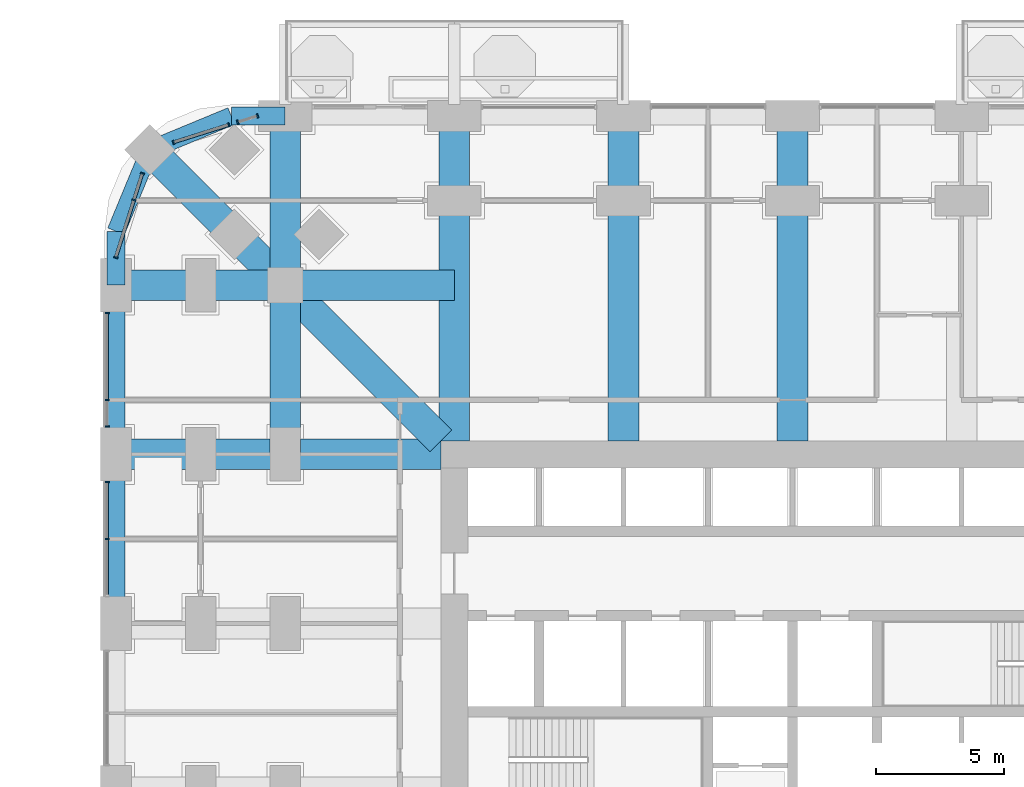
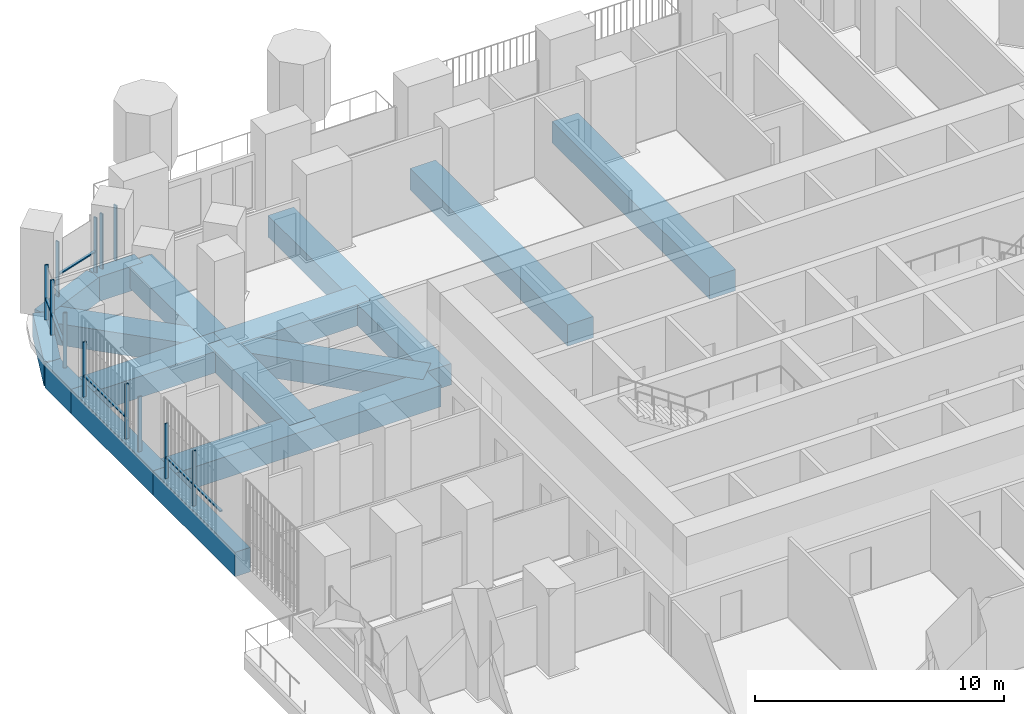
# One storey, part 7 of 27: 18 members, 16 beams, 5 elements without a shape of their own.
"""IFC4 building model written with IfcOpenShell, lengths in metres."""

import ifcopenshell
import ifcopenshell.guid

model = None  # the IFC model being written
_history = None  # IfcOwnerHistory: only IFC2X3 demands one
_inside = {}  # id of a spatial element -> (the spatial element, [elements in it])
_under = {}  # id of a project, library or spatial element -> (it, [spatial elements below it])
_declared = {}  # id of a project -> (the project, [libraries it declares])
_typed = {}  # id of a type object -> (the type object, [elements of that type])
_made_of = {}  # id of a material, layer set ... -> (it, [elements and type objects made of it])


def new_model(schema):
    """Start an empty IFC model of exactly this schema.

    Asked for "IFC4X3", IfcOpenShell would pick the latest addendum, in which some entities
    have other attributes; the version numbers below select the first issue.
    IFC2X3 requires an IfcOwnerHistory on every rooted entity: one is made here for all.
    """
    global model, _history
    if schema == "IFC4X3":
        model = ifcopenshell.file(schema_version=(4, 3, 0, 0))
    else:
        model = ifcopenshell.file(schema=schema)
    _inside.clear()
    _under.clear()
    _declared.clear()
    _typed.clear()
    _made_of.clear()
    _history = None
    if model.schema == "IFC2X3":
        org = make("IfcOrganization", Name="unknown")
        user = make(
            "IfcPersonAndOrganization",
            ThePerson=make("IfcPerson", FamilyName="unknown"),
            TheOrganization=org,
        )
        app = make(
            "IfcApplication",
            ApplicationDeveloper=org,
            Version="unknown",
            ApplicationFullName="unknown",
            ApplicationIdentifier="unknown",
        )
        _history = make(
            "IfcOwnerHistory",
            OwningUser=user,
            OwningApplication=app,
            ChangeAction="ADDED",
            CreationDate=0,
        )
    return model


def make(cls, **values):
    """One entity of the class cls with the attributes given. An attribute that is None is left unset."""
    return model.create_entity(
        cls, **{name: value for name, value in values.items() if value is not None}
    )


def rooted(cls, **values):
    """An entity with a GlobalId (a new one), such as an element, a storey or a relation."""
    return make(cls, GlobalId=ifcopenshell.guid.new(), OwnerHistory=_history, **values)


def si_unit(unit_type, name, prefix=None):
    """IfcSIUnit, for example si_unit("LENGTHUNIT", "METRE", prefix="MILLI")."""
    return make("IfcSIUnit", UnitType=unit_type, Prefix=prefix, Name=name)


def assignment(units):
    """IfcUnitAssignment: the units of a project."""
    return None if units is None else make("IfcUnitAssignment", Units=units)


def point(xyz):
    """IfcCartesianPoint."""
    return None if xyz is None else make("IfcCartesianPoint", Coordinates=xyz)


def direction(xyz):
    """IfcDirection."""
    return None if xyz is None else make("IfcDirection", DirectionRatios=xyz)


def frame(location, z_axis=None, x_axis=None):
    """IfcAxis2Placement3D, a coordinate frame: its origin and axes. An axis left out is left unset."""
    return make(
        "IfcAxis2Placement3D",
        Location=point(location),
        Axis=direction(z_axis),
        RefDirection=direction(x_axis),
    )


def frame_2d(location, x_axis=None):
    """IfcAxis2Placement2D, a coordinate frame in the plane: its origin and x axis."""
    return make(
        "IfcAxis2Placement2D", Location=point(location), RefDirection=direction(x_axis)
    )


def origin():
    """The frame at (0, 0, 0) with its axes left unset."""
    return frame((0.0, 0.0, 0.0))


def origin_2d():
    """The frame at (0, 0) in the plane with its x axis left unset."""
    return frame_2d((0.0, 0.0))


def place(relative_to, where):
    """IfcLocalPlacement: puts the frame where relative to a parent placement (None: the world)."""
    return make(
        "IfcLocalPlacement", PlacementRelTo=relative_to, RelativePlacement=where
    )


def context(
    kind, dimensions, precision=None, world=None, true_north=None, identifier=None
):
    """IfcGeometricRepresentationContext, for example the 3D "Model" context."""
    return make(
        "IfcGeometricRepresentationContext",
        ContextIdentifier=identifier,
        ContextType=kind,
        CoordinateSpaceDimension=dimensions,
        Precision=precision,
        WorldCoordinateSystem=world,
        TrueNorth=true_north,
    )


def subcontext(parent, identifier, kind, view, scale=None):
    """IfcGeometricRepresentationSubContext, for example "Body" below "Model"."""
    return make(
        "IfcGeometricRepresentationSubContext",
        ContextIdentifier=identifier,
        ContextType=kind,
        ParentContext=parent,
        TargetScale=scale,
        TargetView=view,
    )


def project(units=None, contexts=None):
    """IfcProject with its units and contexts."""
    return rooted(
        "IfcProject",
        Name="project",
        RepresentationContexts=contexts,
        UnitsInContext=assignment(units),
    )


def spatial(cls, under=None, at=None, **own):
    """A site, building, storey or space (cls), placed at a placement, below another one or the project."""
    s = rooted(cls, ObjectPlacement=at, **own)
    if under is not None:
        _under.setdefault(under.id(), (under, []))[1].append(s)
    return s


def profile(cls, at=None, kind="AREA", **sizes):
    """A parametric profile (cls). Its sizes go by their IFC names, for example OverallWidth=200.0."""
    return make(cls, ProfileType=kind, Position=at, **sizes)


def rectangle(**sizes):
    """IfcRectangleProfileDef."""
    return profile("IfcRectangleProfileDef", **sizes)


def extrude(swept, where, along, depth):
    """IfcExtrudedAreaSolid: the profile swept, set in the frame where, extruded along a direction by depth."""
    return make(
        "IfcExtrudedAreaSolid",
        SweptArea=swept,
        Position=where,
        ExtrudedDirection=direction(along),
        Depth=depth,
    )


def shape(context_of_items, identifier, shape_type, items):
    """IfcShapeRepresentation: the items that make up one representation, for example the "Body"."""
    return make(
        "IfcShapeRepresentation",
        ContextOfItems=context_of_items,
        RepresentationIdentifier=identifier,
        RepresentationType=shape_type,
        Items=items,
    )


def material(Name=None, Category=None):
    """IfcMaterial."""
    return make("IfcMaterial", Name=Name, Category=Category)


def material_profile(
    of_material, cross_section, Name=None, Category=None, Priority=None
):
    """IfcMaterialProfile: a cross section and its material."""
    return make(
        "IfcMaterialProfile",
        Name=Name,
        Material=of_material,
        Profile=cross_section,
        Priority=Priority,
        Category=Category,
    )


def profile_set(profiles, Name=None, composite=None):
    """IfcMaterialProfileSet."""
    return make(
        "IfcMaterialProfileSet",
        Name=Name,
        MaterialProfiles=profiles,
        CompositeProfile=composite,
    )


def made_of(thing, what):
    """Note that an element or type object is made of a material, layer set ...; save() writes the relation."""
    if what is not None:
        _made_of.setdefault(what.id(), (what, []))[1].append(thing)
    return thing


def type_object(cls, material=None, **own):
    """A type object (cls), such as IfcWallType, which elements share."""
    return made_of(rooted(cls, **own), material)


def element(
    cls,
    number,
    at=None,
    inside=None,
    cuts=None,
    type_object=None,
    material=None,
    context=None,
    identifier="Body",
    shape_type=None,
    held_by="IfcProductDefinitionShape",
    body=None,
    shapes=None,
    **own,
):
    """One element of the class cls, such as IfcWall. Its Tag is "e" and its number.

    at: its placement. inside: the storey or other place that contains it. cuts: it is an
    opening in that element (IfcRelVoidsElement). A single representation is given by context,
    identifier, shape_type and body (its items); several are given by shapes. held_by: the class
    of the entity that holds the representations. save() writes the other relations.
    """
    e = rooted(cls, Tag="e%d" % number, ObjectPlacement=at, **own)
    if body is not None:
        shapes = [shape(context, identifier, shape_type, body)]
    if shapes is not None:
        e.Representation = make(held_by, Representations=shapes)
    if inside is not None:
        _inside.setdefault(inside.id(), (inside, []))[1].append(e)
    if cuts is not None:
        rooted(
            "IfcRelVoidsElement", RelatingBuildingElement=cuts, RelatedOpeningElement=e
        )
    if type_object is not None:
        _typed.setdefault(type_object.id(), (type_object, []))[1].append(e)
    return made_of(e, material)


def aggregate(whole, parts):
    """IfcRelAggregates: a whole, such as a stair, and the parts it consists of."""
    return rooted("IfcRelAggregates", RelatingObject=whole, RelatedObjects=parts)


def save(model, path):
    """Write the relations noted so far, then the file.

    IfcRelAggregates (storeys below a building ...), IfcRelContainedInSpatialStructure (elements
    in a storey), IfcRelDefinesByType, IfcRelAssociatesMaterial and IfcRelDeclares: one each for
    every whole, place, type object, material and project.
    """
    for whole, parts in _under.values():
        aggregate(whole, parts)
    for where, things in _inside.values():
        rooted(
            "IfcRelContainedInSpatialStructure",
            RelatedElements=things,
            RelatingStructure=where,
        )
    for kind, things in _typed.values():
        rooted("IfcRelDefinesByType", RelatedObjects=things, RelatingType=kind)
    for what, things in _made_of.values():
        rooted("IfcRelAssociatesMaterial", RelatedObjects=things, RelatingMaterial=what)
    for by, libraries in _declared.values():
        rooted("IfcRelDeclares", RelatingContext=by, RelatedDefinitions=libraries)
    model.write(path)


model = new_model("IFC4")

# Units and contexts
model_context = context("Model", 3, precision=1e-05, world=origin(), true_north=direction((0.0, 1.0)))
body_context = subcontext(model_context, "Body", "Model", "MODEL_VIEW")
ifc_project = project(units=[si_unit("LENGTHUNIT", "METRE"), si_unit("AREAUNIT", "SQUARE_METRE"), si_unit("VOLUMEUNIT", "CUBIC_METRE"), si_unit("PLANEANGLEUNIT", "RADIAN"), si_unit("MASSUNIT", "GRAM", prefix="KILO")], contexts=[model_context])

# Site, building, storey
site_placement = place(None, origin())
site = spatial("IfcSite", under=ifc_project, at=site_placement, CompositionType="ELEMENT")
building_placement = place(site_placement, origin())
building = spatial("IfcBuilding", under=site, at=building_placement, Name="Cobogo Forest Laboratory Tower", CompositionType="ELEMENT")
storey_placement = place(building_placement, frame((0.0, 0.0, 38.10009765625)))
storey = spatial("IfcBuildingStorey", under=building, at=storey_placement, Name="L08", CompositionType="ELEMENT", Elevation=38.10009765625)

# Beams
ifc_material_1 = material(Name="Concrete HA-40 (C40/50)", Category="concrete")
ifc_material_profile_1 = material_profile(ifc_material_1, rectangle(XDim=1.199951171875, YDim=1.050048828125, at=origin_2d()), Name="RC 1200x1050")
ifc_profile_set_1 = profile_set([ifc_material_profile_1], Name="Concrete HA-40 (C40/50)")
beam_type_1 = type_object("IfcBeamType", Name="Laboratory floor wide beam 1200x1050", PredefinedType="BEAM", material=ifc_profile_set_1)
for number, where, z_axis, x_axis, name in (
    (1, (13.199951171875, 33.52490234375, -0.8251953125), (0.0, 1.0, 0.0), (-1.0, 0.0, 0.0), "RB1 R-3-N L08"),
    (2, (19.800048828125, 33.52490234375, -0.8251953125), (0.0, 1.0, 0.0), (-1.0, 0.0, 0.0), "RB1 R-4-N L08"),
    (3, (26.39990234375, 33.52490234375, -0.8251953125), (0.0, 1.0, 0.0), (-1.0, 0.0, 0.0), "RB1 R-5-N L08"),
    (4, (12.675048828125, 33.0, -0.8251953125), (-1.0, 0.0, 0.0), (0.0, -1.0, 0.0), "RB1 R-F-W L08"),
):
    element("IfcBeam", number, at=place(storey_placement, frame(where, z_axis=z_axis, x_axis=x_axis)), inside=storey, type_object=beam_type_1, Name=name, PredefinedType="BEAM", context=body_context, shape_type="SweptSolid", body=[
        extrude(rectangle(XDim=1.199951171875, YDim=1.050048828125, at=origin_2d()), origin(), (0.0, 0.0, 1.0), 12.675048828125),
    ])
beam_1_placement = place(storey_placement, frame((6.60009765625, 46.199951171875, -0.8251953125), z_axis=(0.0, -1.0, 0.0), x_axis=(1.0, 0.0, 0.0)))
element("IfcBeam", 5, at=beam_1_placement, inside=storey, type_object=beam_type_1, Name="RB1 G-NW-XF L08", PredefinedType="BEAM", context=body_context, shape_type="SweptSolid", body=[
    extrude(rectangle(XDim=1.199951171875, YDim=1.050048828125, at=origin_2d()), origin(), (0.0, 0.0, 1.0), 6.599853515625),
])
for number, where, z_axis, x_axis, name in (
    (6, (6.60009765625, 39.60009765625, -0.8251953125), (0.0, -1.0, 0.0), (1.0, 0.0, 0.0), "RB1 G-NW-XC L08"),
    (7, (0.0, 39.60009765625, -0.8251953125), (1.0, 0.0, 0.0), (0.0, 1.0, 0.0), "RB1 G-NW-YF L08"),
):
    element("IfcBeam", number, at=place(storey_placement, frame(where, z_axis=z_axis, x_axis=x_axis)), inside=storey, type_object=beam_type_1, Name=name, PredefinedType="BEAM", context=body_context, shape_type="SweptSolid", body=[
        extrude(rectangle(XDim=1.199951171875, YDim=1.050048828125, at=origin_2d()), origin(), (0.0, 0.0, 1.0), 6.60009765625),
    ])
beam_2_placement = place(storey_placement, frame((6.60009765625, 39.60009765625, -0.8251953125), z_axis=(1.0, 0.0, 0.0), x_axis=(0.0, 1.0, 0.0)))
element("IfcBeam", 8, at=beam_2_placement, inside=storey, type_object=beam_type_1, Name="RB1 G-NW-YC L08", PredefinedType="BEAM", context=body_context, shape_type="SweptSolid", body=[
    extrude(rectangle(XDim=1.199951171875, YDim=1.050048828125, at=origin_2d()), origin(), (0.0, 0.0, 1.0), 6.599853515625),
])
beam_3_placement = place(storey_placement, frame((1.318115234375, 44.882080078125, -0.8251953125), z_axis=(0.707106781187, -0.707106781187, 0.0), x_axis=(0.707106781187, 0.707106781187, 0.0)))
element("IfcBeam", 9, at=beam_3_placement, inside=storey, type_object=beam_type_1, Name="RB1 G-NW-D1 L08", PredefinedType="BEAM", context=body_context, shape_type="SweptSolid", body=[
    extrude(rectangle(XDim=1.199951171875, YDim=1.050048828125, at=origin_2d()), origin(), (0.0, 0.0, 1.0), 7.469970703125),
])
beam_4_placement = place(storey_placement, frame((6.60009765625, 39.60009765625, -0.8251953125), z_axis=(0.707092572697, -0.70712098939, 0.0), x_axis=(0.70712098939, 0.707092572697, 0.0)))
element("IfcBeam", 10, at=beam_4_placement, inside=storey, type_object=beam_type_1, Name="RB1 G-NW-D2 L08", PredefinedType="BEAM", context=body_context, shape_type="SweptSolid", body=[
    extrude(rectangle(XDim=1.199951171875, YDim=1.050048828125, at=origin_2d()), origin(), (0.0, 0.0, 1.0), 8.591552734375),
])

# Curtain wall, members
ifc_material_2 = material(Name="Aluminium curtain wall", Category="aluminium")
curtain_wall_type = type_object("IfcCurtainWallType", Name="CW-1 unitised curtain wall, clear glazing, laboratory floors zones A and B", PredefinedType="USERDEFINED", material=ifc_material_2)
curtain_wall_1_placement = place(storey_placement, origin())
curtain_wall_1 = element("IfcCurtainWall", 11, at=curtain_wall_1_placement, inside=storey, type_object=curtain_wall_type, Name="Curtain wall 24 L08", ObjectType="UNITISED CURTAIN WALL", PredefinedType="USERDEFINED")
ifc_material_3 = material(Name="Aluminium mullion", Category="aluminium")
ifc_material_profile_2 = material_profile(ifc_material_3, rectangle(XDim=0.06005859375, YDim=0.159912109375, at=origin_2d()), Name="AL 60x160")
ifc_profile_set_2 = profile_set([ifc_material_profile_2], Name="Aluminium mullion")
member_type_1 = type_object("IfcMemberType", Name="MU-1 aluminium mullion 60x160", PredefinedType="MULLION", material=ifc_profile_set_2)
member_1_placement = place(storey_placement, frame((5.521484375, 46.20947265625, 0.0), z_axis=(0.0, 0.0, 1.0), x_axis=(-0.953581504428, -0.301135043481, 0.0)))
member_1 = element("IfcMember", 12, at=member_1_placement, type_object=member_type_1, Name="CW-1 mullion 1", PredefinedType="MULLION", context=body_context, shape_type="SweptSolid", body=[
    extrude(rectangle(XDim=0.06005859375, YDim=0.159912109375, at=origin_2d()), origin(), (0.0, 0.0, 1.0), 2.699951171875),
])
member_2_placement = place(storey_placement, frame((4.74658203125, 45.96484375, 0.0), z_axis=(0.0, 0.0, 1.0), x_axis=(-0.953581504428, -0.301135043481, 0.0)))
member_2 = element("IfcMember", 13, at=member_2_placement, type_object=member_type_1, Name="CW-1 mullion 2", PredefinedType="MULLION", context=body_context, shape_type="SweptSolid", body=[
    extrude(rectangle(XDim=0.06005859375, YDim=0.159912109375, at=origin_2d()), origin(), (0.0, 0.0, 1.0), 2.699951171875),
])
aggregate(curtain_wall_1, [member_1, member_2])

curtain_wall_2_placement = place(storey_placement, origin())
curtain_wall_2 = element("IfcCurtainWall", 14, at=curtain_wall_2_placement, inside=storey, type_object=curtain_wall_type, Name="Curtain wall 25 L08", ObjectType="UNITISED CURTAIN WALL", PredefinedType="USERDEFINED")
member_3_placement = place(storey_placement, frame((4.39697265625, 45.854248046875, 0.0), z_axis=(0.0, 0.0, 1.0), x_axis=(-0.953581409645, -0.301135343623, 0.0)))
member_3 = element("IfcMember", 15, at=member_3_placement, type_object=member_type_1, Name="CW-1 mullion 1", PredefinedType="MULLION", context=body_context, shape_type="SweptSolid", body=[
    extrude(rectangle(XDim=0.06005859375, YDim=0.159912109375, at=origin_2d()), origin(), (0.0, 0.0, 1.0), 2.699951171875),
])
member_4_placement = place(storey_placement, frame((2.23876953125, 45.1728515625, 0.0), z_axis=(0.0, 0.0, 1.0), x_axis=(-0.953581409645, -0.301135343623, 0.0)))
member_4 = element("IfcMember", 16, at=member_4_placement, type_object=member_type_1, Name="CW-1 mullion 2", PredefinedType="MULLION", context=body_context, shape_type="SweptSolid", body=[
    extrude(rectangle(XDim=0.06005859375, YDim=0.159912109375, at=origin_2d()), origin(), (0.0, 0.0, 1.0), 2.699951171875),
])

curtain_wall_3_placement = place(storey_placement, origin())
curtain_wall_3 = element("IfcCurtainWall", 17, at=curtain_wall_3_placement, inside=storey, type_object=curtain_wall_type, Name="Curtain wall 26 L08", ObjectType="UNITISED CURTAIN WALL", PredefinedType="USERDEFINED")
member_5_placement = place(storey_placement, frame((1.02734375, 43.961181640625, 0.0), z_axis=(0.0, 0.0, 1.0), x_axis=(-0.30113535792, -0.95358140513, 0.0)))
member_5 = element("IfcMember", 18, at=member_5_placement, type_object=member_type_1, Name="CW-1 mullion 1", PredefinedType="MULLION", context=body_context, shape_type="SweptSolid", body=[
    extrude(rectangle(XDim=0.06005859375, YDim=0.159912109375, at=origin_2d()), origin(), (0.0, 0.0, 1.0), 2.699951171875),
])
member_6_placement = place(storey_placement, frame((0.69970703125, 42.924072265625, 0.0), z_axis=(0.0, 0.0, 1.0), x_axis=(-0.30113535792, -0.95358140513, 0.0)))
member_6 = element("IfcMember", 19, at=member_6_placement, type_object=member_type_1, Name="CW-1 mullion 2", PredefinedType="MULLION", context=body_context, shape_type="SweptSolid", body=[
    extrude(rectangle(XDim=0.06005859375, YDim=0.159912109375, at=origin_2d()), origin(), (0.0, 0.0, 1.0), 2.699951171875),
])
member_7_placement = place(storey_placement, frame((-0.00927734375, 40.6787109375, 0.0), z_axis=(0.0, 0.0, 1.0), x_axis=(-0.30113535792, -0.95358140513, 0.0)))
member_7 = element("IfcMember", 20, at=member_7_placement, type_object=member_type_1, Name="CW-1 mullion 3", PredefinedType="MULLION", context=body_context, shape_type="SweptSolid", body=[
    extrude(rectangle(XDim=0.06005859375, YDim=0.159912109375, at=origin_2d()), origin(), (0.0, 0.0, 1.0), 2.699951171875),
])

curtain_wall_4_placement = place(storey_placement, origin())
curtain_wall_4 = element("IfcCurtainWall", 21, at=curtain_wall_4_placement, inside=storey, type_object=curtain_wall_type, Name="Curtain wall 27 L08", ObjectType="UNITISED CURTAIN WALL", PredefinedType="USERDEFINED")
member_8_placement = place(storey_placement, frame((-0.35009765625, 38.52001953125, 0.0), z_axis=(0.0, 0.0, 1.0), x_axis=(0.0, -1.0, 0.0)))
member_8 = element("IfcMember", 22, at=member_8_placement, type_object=member_type_1, Name="CW-1 mullion 1", PredefinedType="MULLION", context=body_context, shape_type="SweptSolid", body=[
    extrude(rectangle(XDim=0.06005859375, YDim=0.159912109375, at=origin_2d()), origin(), (0.0, 0.0, 1.0), 2.699951171875),
])
member_9_placement = place(storey_placement, frame((-0.35009765625, 35.125, 0.0), z_axis=(0.0, 0.0, 1.0), x_axis=(0.0, -1.0, 0.0)))
member_9 = element("IfcMember", 23, at=member_9_placement, type_object=member_type_1, Name="CW-1 mullion 2", PredefinedType="MULLION", context=body_context, shape_type="SweptSolid", body=[
    extrude(rectangle(XDim=0.06005859375, YDim=0.159912109375, at=origin_2d()), origin(), (0.0, 0.0, 1.0), 2.699951171875),
])
member_10_placement = place(storey_placement, frame((-0.35009765625, 34.080078125, 0.0), z_axis=(0.0, 0.0, 1.0), x_axis=(0.0, -1.0, 0.0)))
member_10 = element("IfcMember", 24, at=member_10_placement, type_object=member_type_1, Name="CW-1 mullion 3", PredefinedType="MULLION", context=body_context, shape_type="SweptSolid", body=[
    extrude(rectangle(XDim=0.06005859375, YDim=0.159912109375, at=origin_2d()), origin(), (0.0, 0.0, 1.0), 2.699951171875),
])

curtain_wall_5_placement = place(storey_placement, origin())
curtain_wall_5 = element("IfcCurtainWall", 25, at=curtain_wall_5_placement, inside=storey, type_object=curtain_wall_type, Name="Curtain wall 28 L08", ObjectType="UNITISED CURTAIN WALL", PredefinedType="USERDEFINED")
member_11_placement = place(storey_placement, frame((-0.35009765625, 31.919921875, 0.0), z_axis=(0.0, 0.0, 1.0), x_axis=(0.0, -1.0, 0.0)))
member_11 = element("IfcMember", 26, at=member_11_placement, type_object=member_type_1, Name="CW-1 mullion 1", PredefinedType="MULLION", context=body_context, shape_type="SweptSolid", body=[
    extrude(rectangle(XDim=0.06005859375, YDim=0.159912109375, at=origin_2d()), origin(), (0.0, 0.0, 1.0), 2.699951171875),
])
member_12_placement = place(storey_placement, frame((-0.35009765625, 29.699951171875, 0.0), z_axis=(0.0, 0.0, 1.0), x_axis=(0.0, -1.0, 0.0)))
member_12 = element("IfcMember", 27, at=member_12_placement, type_object=member_type_1, Name="CW-1 mullion 2", PredefinedType="MULLION", context=body_context, shape_type="SweptSolid", body=[
    extrude(rectangle(XDim=0.06005859375, YDim=0.159912109375, at=origin_2d()), origin(), (0.0, 0.0, 1.0), 2.699951171875),
])

# Beams
ifc_material_profile_3 = material_profile(ifc_material_1, rectangle(XDim=0.699951171875, YDim=1.199951171875, at=origin_2d()), Name="RC 700x1200")
ifc_profile_set_3 = profile_set([ifc_material_profile_3], Name="Concrete HA-40 (C40/50)")
beam_type_2 = type_object("IfcBeamType", Name="Perimeter edge beam 700x1200", PredefinedType="BEAM", material=ifc_profile_set_3)
for number, where, z_axis, x_axis, name in (
    (28, (0.0, 26.39990234375, -0.900146484375), (0.0, 1.0, 0.0), (-1.0, 0.0, 0.0), "EB1 E-W4 L08"),
    (29, (0.0, 33.0, -0.900146484375), (0.0, 1.0, 0.0), (-1.0, 0.0, 0.0), "EB1 E-W5 L08"),
):
    element("IfcBeam", number, at=place(storey_placement, frame(where, z_axis=z_axis, x_axis=x_axis)), inside=storey, type_object=beam_type_2, Name=name, PredefinedType="BEAM", context=body_context, shape_type="SweptSolid", body=[
        extrude(rectangle(XDim=0.699951171875, YDim=1.199951171875, at=origin_2d()), origin(), (0.0, 0.0, 1.0), 6.60009765625),
    ])
beam_5_placement = place(storey_placement, frame((6.60009765625, 46.199951171875, -0.900146484375), z_axis=(-1.0, 0.0, 0.0), x_axis=(0.0, -1.0, 0.0)))
element("IfcBeam", 30, at=beam_5_placement, inside=storey, type_object=beam_type_2, Name="EB1 E-NWN1 L08", PredefinedType="BEAM", context=body_context, shape_type="SweptSolid", body=[
    extrude(rectangle(XDim=0.699951171875, YDim=1.199951171875, at=origin_2d()), origin(), (0.0, 0.0, 1.0), 2.10009765625),
])
beam_6_placement = place(storey_placement, frame((4.5, 46.199951171875, -0.900146484375), z_axis=(-0.923890694089, -0.382656484822, 0.0), x_axis=(0.382656484822, -0.923890694089, 0.0)))
element("IfcBeam", 31, at=beam_6_placement, inside=storey, type_object=beam_type_2, Name="EB1 E-NWN2 L08", PredefinedType="BEAM", context=body_context, shape_type="SweptSolid", body=[
    extrude(rectangle(XDim=0.699951171875, YDim=1.199951171875, at=origin_2d()), origin(), (0.0, 0.0, 1.0), 3.444091796875),
])
beam_7_placement = place(storey_placement, frame((0.0, 39.60009765625, -0.900146484375), z_axis=(0.0, 1.0, 0.0), x_axis=(-1.0, 0.0, 0.0)))
element("IfcBeam", 32, at=beam_7_placement, inside=storey, type_object=beam_type_2, Name="EB1 E-NWW1 L08", PredefinedType="BEAM", context=body_context, shape_type="SweptSolid", body=[
    extrude(rectangle(XDim=0.699951171875, YDim=1.199951171875, at=origin_2d()), origin(), (0.0, 0.0, 1.0), 2.099853515625),
])
beam_8_placement = place(storey_placement, frame((0.0, 41.699951171875, -0.900146484375), z_axis=(0.382691928466, 0.923876013265, 0.0), x_axis=(-0.923876013265, 0.382691928466, 0.0)))
element("IfcBeam", 33, at=beam_8_placement, inside=storey, type_object=beam_type_2, Name="EB1 E-NWW2 L08", PredefinedType="BEAM", context=body_context, shape_type="SweptSolid", body=[
    extrude(rectangle(XDim=0.699951171875, YDim=1.199951171875, at=origin_2d()), origin(), (0.0, 0.0, 1.0), 3.4443359375),
])

# Member
ifc_material_4 = material(Name="Aluminium transom", Category="aluminium")
ifc_material_profile_4 = material_profile(ifc_material_4, rectangle(XDim=0.1201171875, YDim=0.06005859375, at=origin_2d()), Name="AL 60x120")
ifc_profile_set_4 = profile_set([ifc_material_profile_4], Name="Aluminium transom")
member_type_2 = type_object("IfcMemberType", Name="TR-1 aluminium transom 60x120", PredefinedType="USERDEFINED", material=ifc_profile_set_4)
member_13_placement = place(storey_placement, frame((4.368408203125, 45.84521484375, 1.0498046875), z_axis=(-0.953604433273, -0.301062426819, 0.0), x_axis=(0.301062426819, -0.953604433273, 0.0)))
member_13 = element("IfcMember", 34, at=member_13_placement, type_object=member_type_2, Name="CW-1 transom 1.1", ObjectType="TRANSOM", PredefinedType="USERDEFINED", context=body_context, shape_type="SweptSolid", body=[
    extrude(rectangle(XDim=0.1201171875, YDim=0.06005859375, at=origin_2d()), origin(), (0.0, 0.0, 1.0), 2.203369140625),
])

aggregate(curtain_wall_2, [member_3, member_4, member_13])

member_14_placement = place(storey_placement, frame((1.018310546875, 43.9326171875, 1.0498046875), z_axis=(-0.301222320394, -0.953553938535, 0.0), x_axis=(0.953553938535, -0.301222320394, 0.0)))
member_14 = element("IfcMember", 35, at=member_14_placement, type_object=member_type_2, Name="CW-1 transom 1.1", ObjectType="TRANSOM", PredefinedType="USERDEFINED", context=body_context, shape_type="SweptSolid", body=[
    extrude(rectangle(XDim=0.1201171875, YDim=0.06005859375, at=origin_2d()), origin(), (0.0, 0.0, 1.0), 1.02783203125),
])

member_15_placement = place(storey_placement, frame((0.690673828125, 42.8955078125, 1.0498046875), z_axis=(-0.301090633022, -0.953595527835, 0.0), x_axis=(0.953595527835, -0.301090633022, 0.0)))
member_15 = element("IfcMember", 36, at=member_15_placement, type_object=member_type_2, Name="CW-1 transom 2.1", ObjectType="TRANSOM", PredefinedType="USERDEFINED", context=body_context, shape_type="SweptSolid", body=[
    extrude(rectangle(XDim=0.1201171875, YDim=0.06005859375, at=origin_2d()), origin(), (0.0, 0.0, 1.0), 2.294677734375),
])

aggregate(curtain_wall_3, [member_5, member_6, member_7, member_14, member_15])

member_16_placement = place(storey_placement, frame((-0.35009765625, 38.489990234375, 1.0498046875), z_axis=(0.0, -1.0, 0.0), x_axis=(1.0, 0.0, 0.0)))
member_16 = element("IfcMember", 37, at=member_16_placement, type_object=member_type_2, Name="CW-1 transom 1.1", ObjectType="TRANSOM", PredefinedType="USERDEFINED", context=body_context, shape_type="SweptSolid", body=[
    extrude(rectangle(XDim=0.1201171875, YDim=0.06005859375, at=origin_2d()), origin(), (0.0, 0.0, 1.0), 3.3349609375),
])

aggregate(curtain_wall_4, [member_8, member_9, member_10, member_16])

member_17_placement = place(storey_placement, frame((-0.35009765625, 31.889892578125, 1.0498046875), z_axis=(0.0, -1.0, 0.0), x_axis=(1.0, 0.0, 0.0)))
member_17 = element("IfcMember", 38, at=member_17_placement, type_object=member_type_2, Name="CW-1 transom 1.1", ObjectType="TRANSOM", PredefinedType="USERDEFINED", context=body_context, shape_type="SweptSolid", body=[
    extrude(rectangle(XDim=0.1201171875, YDim=0.06005859375, at=origin_2d()), origin(), (0.0, 0.0, 1.0), 2.159912109375),
])

member_18_placement = place(storey_placement, frame((-0.35009765625, 29.669921875, 1.0498046875), z_axis=(0.0, -1.0, 0.0), x_axis=(1.0, 0.0, 0.0)))
member_18 = element("IfcMember", 39, at=member_18_placement, type_object=member_type_2, Name="CW-1 transom 2.1", ObjectType="TRANSOM", PredefinedType="USERDEFINED", context=body_context, shape_type="SweptSolid", body=[
    extrude(rectangle(XDim=0.1201171875, YDim=0.06005859375, at=origin_2d()), origin(), (0.0, 0.0, 1.0), 2.159912109375),
])

aggregate(curtain_wall_5, [member_11, member_12, member_17, member_18])

save(model, "model.ifc")
